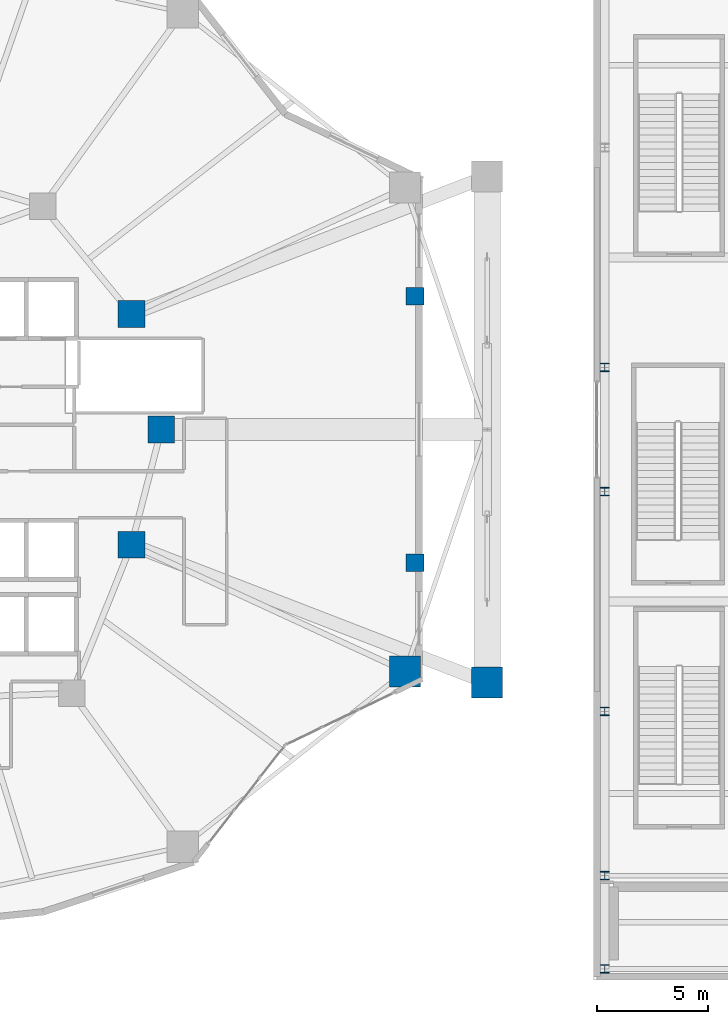
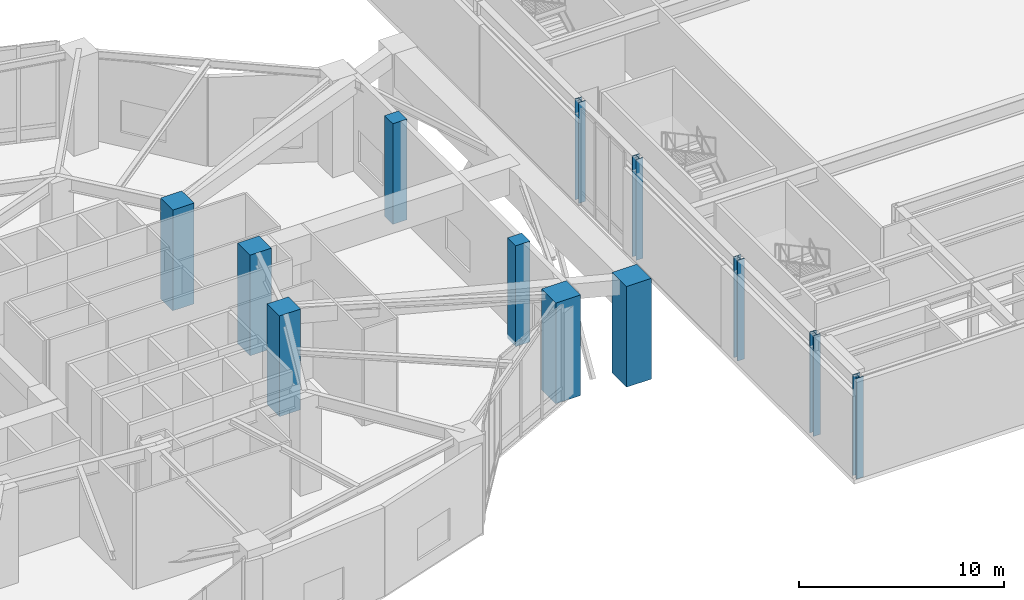
# One storey, part 2 of 25: 12 columns.
"""IFC4 building model written with IfcOpenShell, lengths in metres."""

import ifcopenshell
import ifcopenshell.guid

model = None  # the IFC model being written
_history = None  # IfcOwnerHistory: only IFC2X3 demands one
_inside = {}  # id of a spatial element -> (the spatial element, [elements in it])
_under = {}  # id of a project, library or spatial element -> (it, [spatial elements below it])
_declared = {}  # id of a project -> (the project, [libraries it declares])
_typed = {}  # id of a type object -> (the type object, [elements of that type])
_made_of = {}  # id of a material, layer set ... -> (it, [elements and type objects made of it])


def new_model(schema):
    """Start an empty IFC model of exactly this schema.

    Asked for "IFC4X3", IfcOpenShell would pick the latest addendum, in which some entities
    have other attributes; the version numbers below select the first issue.
    IFC2X3 requires an IfcOwnerHistory on every rooted entity: one is made here for all.
    """
    global model, _history
    if schema == "IFC4X3":
        model = ifcopenshell.file(schema_version=(4, 3, 0, 0))
    else:
        model = ifcopenshell.file(schema=schema)
    _inside.clear()
    _under.clear()
    _declared.clear()
    _typed.clear()
    _made_of.clear()
    _history = None
    if model.schema == "IFC2X3":
        org = make("IfcOrganization", Name="unknown")
        user = make(
            "IfcPersonAndOrganization",
            ThePerson=make("IfcPerson", FamilyName="unknown"),
            TheOrganization=org,
        )
        app = make(
            "IfcApplication",
            ApplicationDeveloper=org,
            Version="unknown",
            ApplicationFullName="unknown",
            ApplicationIdentifier="unknown",
        )
        _history = make(
            "IfcOwnerHistory",
            OwningUser=user,
            OwningApplication=app,
            ChangeAction="ADDED",
            CreationDate=0,
        )
    return model


def make(cls, **values):
    """One entity of the class cls with the attributes given. An attribute that is None is left unset."""
    return model.create_entity(
        cls, **{name: value for name, value in values.items() if value is not None}
    )


def rooted(cls, **values):
    """An entity with a GlobalId (a new one), such as an element, a storey or a relation."""
    return make(cls, GlobalId=ifcopenshell.guid.new(), OwnerHistory=_history, **values)


def si_unit(unit_type, name, prefix=None):
    """IfcSIUnit, for example si_unit("LENGTHUNIT", "METRE", prefix="MILLI")."""
    return make("IfcSIUnit", UnitType=unit_type, Prefix=prefix, Name=name)


def assignment(units):
    """IfcUnitAssignment: the units of a project."""
    return None if units is None else make("IfcUnitAssignment", Units=units)


def point(xyz):
    """IfcCartesianPoint."""
    return None if xyz is None else make("IfcCartesianPoint", Coordinates=xyz)


def direction(xyz):
    """IfcDirection."""
    return None if xyz is None else make("IfcDirection", DirectionRatios=xyz)


def frame(location, z_axis=None, x_axis=None):
    """IfcAxis2Placement3D, a coordinate frame: its origin and axes. An axis left out is left unset."""
    return make(
        "IfcAxis2Placement3D",
        Location=point(location),
        Axis=direction(z_axis),
        RefDirection=direction(x_axis),
    )


def frame_2d(location, x_axis=None):
    """IfcAxis2Placement2D, a coordinate frame in the plane: its origin and x axis."""
    return make(
        "IfcAxis2Placement2D", Location=point(location), RefDirection=direction(x_axis)
    )


def origin():
    """The frame at (0, 0, 0) with its axes left unset."""
    return frame((0.0, 0.0, 0.0))


def origin_2d():
    """The frame at (0, 0) in the plane with its x axis left unset."""
    return frame_2d((0.0, 0.0))


def place(relative_to, where):
    """IfcLocalPlacement: puts the frame where relative to a parent placement (None: the world)."""
    return make(
        "IfcLocalPlacement", PlacementRelTo=relative_to, RelativePlacement=where
    )


def context(
    kind, dimensions, precision=None, world=None, true_north=None, identifier=None
):
    """IfcGeometricRepresentationContext, for example the 3D "Model" context."""
    return make(
        "IfcGeometricRepresentationContext",
        ContextIdentifier=identifier,
        ContextType=kind,
        CoordinateSpaceDimension=dimensions,
        Precision=precision,
        WorldCoordinateSystem=world,
        TrueNorth=true_north,
    )


def subcontext(parent, identifier, kind, view, scale=None):
    """IfcGeometricRepresentationSubContext, for example "Body" below "Model"."""
    return make(
        "IfcGeometricRepresentationSubContext",
        ContextIdentifier=identifier,
        ContextType=kind,
        ParentContext=parent,
        TargetScale=scale,
        TargetView=view,
    )


def project(units=None, contexts=None):
    """IfcProject with its units and contexts."""
    return rooted(
        "IfcProject",
        Name="project",
        RepresentationContexts=contexts,
        UnitsInContext=assignment(units),
    )


def spatial(cls, under=None, at=None, **own):
    """A site, building, storey or space (cls), placed at a placement, below another one or the project."""
    s = rooted(cls, ObjectPlacement=at, **own)
    if under is not None:
        _under.setdefault(under.id(), (under, []))[1].append(s)
    return s


def profile(cls, at=None, kind="AREA", **sizes):
    """A parametric profile (cls). Its sizes go by their IFC names, for example OverallWidth=200.0."""
    return make(cls, ProfileType=kind, Position=at, **sizes)


def rectangle(**sizes):
    """IfcRectangleProfileDef."""
    return profile("IfcRectangleProfileDef", **sizes)


def i_section(**sizes):
    """IfcIShapeProfileDef."""
    return profile("IfcIShapeProfileDef", **sizes)


def extrude(swept, where, along, depth):
    """IfcExtrudedAreaSolid: the profile swept, set in the frame where, extruded along a direction by depth."""
    return make(
        "IfcExtrudedAreaSolid",
        SweptArea=swept,
        Position=where,
        ExtrudedDirection=direction(along),
        Depth=depth,
    )


def shape(context_of_items, identifier, shape_type, items):
    """IfcShapeRepresentation: the items that make up one representation, for example the "Body"."""
    return make(
        "IfcShapeRepresentation",
        ContextOfItems=context_of_items,
        RepresentationIdentifier=identifier,
        RepresentationType=shape_type,
        Items=items,
    )


def material(Name=None, Category=None):
    """IfcMaterial."""
    return make("IfcMaterial", Name=Name, Category=Category)


def material_profile(
    of_material, cross_section, Name=None, Category=None, Priority=None
):
    """IfcMaterialProfile: a cross section and its material."""
    return make(
        "IfcMaterialProfile",
        Name=Name,
        Material=of_material,
        Profile=cross_section,
        Priority=Priority,
        Category=Category,
    )


def profile_set(profiles, Name=None, composite=None):
    """IfcMaterialProfileSet."""
    return make(
        "IfcMaterialProfileSet",
        Name=Name,
        MaterialProfiles=profiles,
        CompositeProfile=composite,
    )


def made_of(thing, what):
    """Note that an element or type object is made of a material, layer set ...; save() writes the relation."""
    if what is not None:
        _made_of.setdefault(what.id(), (what, []))[1].append(thing)
    return thing


def type_object(cls, material=None, **own):
    """A type object (cls), such as IfcWallType, which elements share."""
    return made_of(rooted(cls, **own), material)


def element(
    cls,
    number,
    at=None,
    inside=None,
    cuts=None,
    type_object=None,
    material=None,
    context=None,
    identifier="Body",
    shape_type=None,
    held_by="IfcProductDefinitionShape",
    body=None,
    shapes=None,
    **own,
):
    """One element of the class cls, such as IfcWall. Its Tag is "e" and its number.

    at: its placement. inside: the storey or other place that contains it. cuts: it is an
    opening in that element (IfcRelVoidsElement). A single representation is given by context,
    identifier, shape_type and body (its items); several are given by shapes. held_by: the class
    of the entity that holds the representations. save() writes the other relations.
    """
    e = rooted(cls, Tag="e%d" % number, ObjectPlacement=at, **own)
    if body is not None:
        shapes = [shape(context, identifier, shape_type, body)]
    if shapes is not None:
        e.Representation = make(held_by, Representations=shapes)
    if inside is not None:
        _inside.setdefault(inside.id(), (inside, []))[1].append(e)
    if cuts is not None:
        rooted(
            "IfcRelVoidsElement", RelatingBuildingElement=cuts, RelatedOpeningElement=e
        )
    if type_object is not None:
        _typed.setdefault(type_object.id(), (type_object, []))[1].append(e)
    return made_of(e, material)


def aggregate(whole, parts):
    """IfcRelAggregates: a whole, such as a stair, and the parts it consists of."""
    return rooted("IfcRelAggregates", RelatingObject=whole, RelatedObjects=parts)


def save(model, path):
    """Write the relations noted so far, then the file.

    IfcRelAggregates (storeys below a building ...), IfcRelContainedInSpatialStructure (elements
    in a storey), IfcRelDefinesByType, IfcRelAssociatesMaterial and IfcRelDeclares: one each for
    every whole, place, type object, material and project.
    """
    for whole, parts in _under.values():
        aggregate(whole, parts)
    for where, things in _inside.values():
        rooted(
            "IfcRelContainedInSpatialStructure",
            RelatedElements=things,
            RelatingStructure=where,
        )
    for kind, things in _typed.values():
        rooted("IfcRelDefinesByType", RelatedObjects=things, RelatingType=kind)
    for what, things in _made_of.values():
        rooted("IfcRelAssociatesMaterial", RelatedObjects=things, RelatingMaterial=what)
    for by, libraries in _declared.values():
        rooted("IfcRelDeclares", RelatingContext=by, RelatedDefinitions=libraries)
    model.write(path)


model = new_model("IFC4")

# Units and contexts
model_context = context("Model", 3, precision=1e-05, world=origin(), true_north=direction((0.0, 1.0)))
body_context = subcontext(model_context, "Body", "Model", "MODEL_VIEW")
ifc_project = project(units=[si_unit("LENGTHUNIT", "METRE"), si_unit("AREAUNIT", "SQUARE_METRE"), si_unit("VOLUMEUNIT", "CUBIC_METRE"), si_unit("PLANEANGLEUNIT", "RADIAN"), si_unit("MASSUNIT", "GRAM", prefix="KILO")], contexts=[model_context])

# Site, building, storey
site_placement = place(None, origin())
site = spatial("IfcSite", under=ifc_project, at=site_placement, CompositionType="ELEMENT")
building_placement = place(site_placement, origin())
building = spatial("IfcBuilding", under=site, at=building_placement, Name="Kolvaren Gate Tower and Convention Centre", CompositionType="ELEMENT")
storey_placement = place(building_placement, frame((0.0, 0.0, 15.0)))
storey = spatial("IfcBuildingStorey", under=building, at=storey_placement, Name="L03", CompositionType="ELEMENT", Elevation=15.0)

# Columns
ifc_material_1 = material(Name="Concrete C70/85", Category="concrete")
ifc_material_profile_1 = material_profile(ifc_material_1, rectangle(XDim=1.199951171875, YDim=1.199951171875, at=origin_2d()), Name="RC-COL-1200X1200")
ifc_profile_set_1 = profile_set([ifc_material_profile_1], Name="Concrete C70/85")
column_type_1 = type_object("IfcColumnType", Name="STR-COL-RC1200", PredefinedType="COLUMN", material=ifc_profile_set_1)
for number, where, z_axis, x_axis, name in (
    (1, (42.72509765625, 27.0, -0.239990234375), (0.0, 0.0, 1.0), (1.0, 0.0, 0.0), "Tower L03 Interior Column TI-01"),
    (2, (41.382080078125, 32.199462890625, -0.239990234375), (0.0, 0.0, 1.0), (1.0, 0.0, 0.0), "Tower L03 Interior Column TI-02"),
    (3, (41.382080078125, 21.800537109375, -0.239990234375), (0.0, 0.0, 1.0), (1.0, 0.0, 0.0), "Tower L03 Interior Column TI-09"),
):
    element("IfcColumn", number, at=place(storey_placement, frame(where, z_axis=z_axis, x_axis=x_axis)), inside=storey, type_object=column_type_1, Name=name, PredefinedType="COLUMN", context=body_context, shape_type="SweptSolid", body=[
        extrude(rectangle(XDim=1.199951171875, YDim=1.199951171875, at=origin_2d()), origin(), (0.0, 0.0, 1.0), 6.0),
    ])
ifc_material_profile_2 = material_profile(ifc_material_1, rectangle(XDim=1.39990234375, YDim=1.39990234375, at=origin_2d()), Name="RC-COL-1400X1400")
ifc_profile_set_2 = profile_set([ifc_material_profile_2], Name="Concrete C70/85")
column_type_2 = type_object("IfcColumnType", Name="STR-COL-RC1400", PredefinedType="COLUMN", material=ifc_profile_set_2)
for number, where, z_axis, x_axis, name in (
    (4, (53.710205078125, 16.1064453125, -0.239990234375), (0.0, 0.0, 1.0), (1.0, 0.0, 0.0), "Tower L03 Perimeter Supercolumn TP-12"),
    (5, (57.39990234375, 15.60009765625, -0.239990234375), (0.0, 0.0, 1.0), (1.0, 0.0, 0.0), "Monumental Arch Skewback Pier AP-1 (L03)"),
):
    element("IfcColumn", number, at=place(storey_placement, frame(where, z_axis=z_axis, x_axis=x_axis)), inside=storey, type_object=column_type_2, Name=name, PredefinedType="COLUMN", context=body_context, shape_type="SweptSolid", body=[
        extrude(rectangle(XDim=1.39990234375, YDim=1.39990234375, at=origin_2d()), origin(), (0.0, 0.0, 1.0), 6.0),
    ])
ifc_material_2 = material(Name="Structural steel ASTM A992 Grade 345 MPa", Category="steel")
ifc_material_profile_3 = material_profile(ifc_material_2, i_section(OverallWidth=0.39501953125, OverallDepth=0.3798828125, WebThickness=0.018798828125, FlangeThickness=0.0302734375, at=origin_2d()), Name="W360X237")
ifc_profile_set_3 = profile_set([ifc_material_profile_3], Name="Structural steel ASTM A992 Grade 345 MPa")
column_type_3 = type_object("IfcColumnType", Name="STR-COL-W360X237", PredefinedType="COLUMN", material=ifc_profile_set_3)
for number, where, z_axis, x_axis, name in (
    (6, (62.699951171875, 2.699951171875, -0.239990234375), (0.0, 0.0, 1.0), (1.0, 0.0, 0.0), "Convention L03 Column CC-11"),
    (7, (62.699951171875, 6.89990234375, -0.239990234375), (0.0, 0.0, 1.0), (1.0, 0.0, 0.0), "Convention L03 Column CC-12"),
    (8, (62.699951171875, 14.300048828125, -0.239990234375), (0.0, 0.0, 1.0), (1.0, 0.0, 0.0), "Convention L03 Column CC-13"),
    (9, (62.699951171875, 24.199951171875, -0.239990234375), (0.0, 0.0, 1.0), (1.0, 0.0, 0.0), "Convention L03 Column CC-14"),
    (10, (62.699951171875, 29.800048828125, -0.239990234375), (0.0, 0.0, 1.0), (1.0, 0.0, 0.0), "Convention L03 Column CC-15"),
):
    element("IfcColumn", number, at=place(storey_placement, frame(where, z_axis=z_axis, x_axis=x_axis)), inside=storey, type_object=column_type_3, Name=name, PredefinedType="COLUMN", context=body_context, shape_type="SweptSolid", body=[
        extrude(i_section(OverallWidth=0.39501953125, OverallDepth=0.3798828125, WebThickness=0.018798828125, FlangeThickness=0.0302734375, at=origin_2d()), origin(), (0.0, 0.0, 1.0), 6.0),
    ])
ifc_material_3 = material(Name="Concrete C60/75", Category="concrete")
ifc_material_profile_4 = material_profile(ifc_material_3, rectangle(XDim=0.800048828125, YDim=0.800048828125, at=origin_2d()), Name="RC-COL-800X800")
ifc_profile_set_4 = profile_set([ifc_material_profile_4], Name="Concrete C60/75")
column_type_4 = type_object("IfcColumnType", Name="STR-PIL-RC800", PredefinedType="PILASTER", material=ifc_profile_set_4)
for number, where, z_axis, x_axis, name in (
    (11, (54.14990234375, 21.0, -0.239990234375), (0.0, 0.0, 1.0), (1.0, 0.0, 0.0), "Arch Portal Pilaster CP-1 (L03)"),
    (12, (54.14990234375, 33.0, -0.239990234375), (0.0, 0.0, 1.0), (1.0, 0.0, 0.0), "Arch Portal Pilaster CP-2 (L03)"),
):
    element("IfcColumn", number, at=place(storey_placement, frame(where, z_axis=z_axis, x_axis=x_axis)), inside=storey, type_object=column_type_4, Name=name, PredefinedType="PILASTER", context=body_context, shape_type="SweptSolid", body=[
        extrude(rectangle(XDim=0.800048828125, YDim=0.800048828125, at=origin_2d()), origin(), (0.0, 0.0, 1.0), 6.0),
    ])

save(model, "model.ifc")
